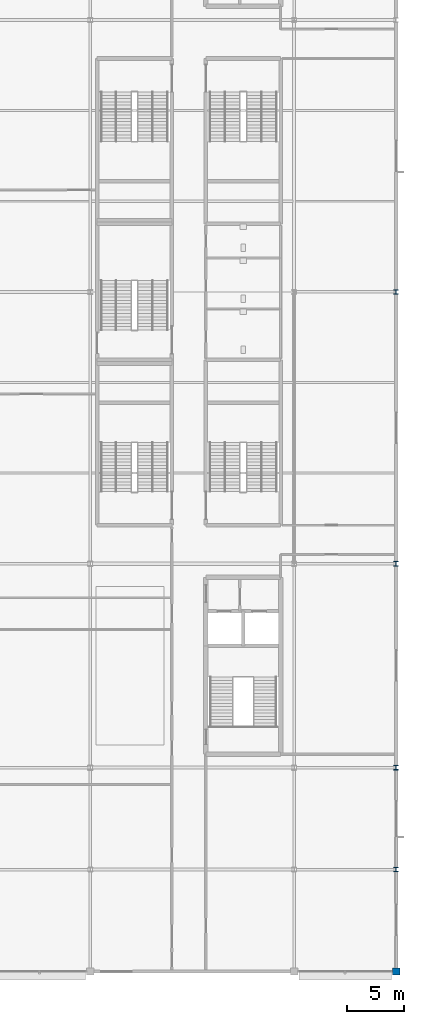
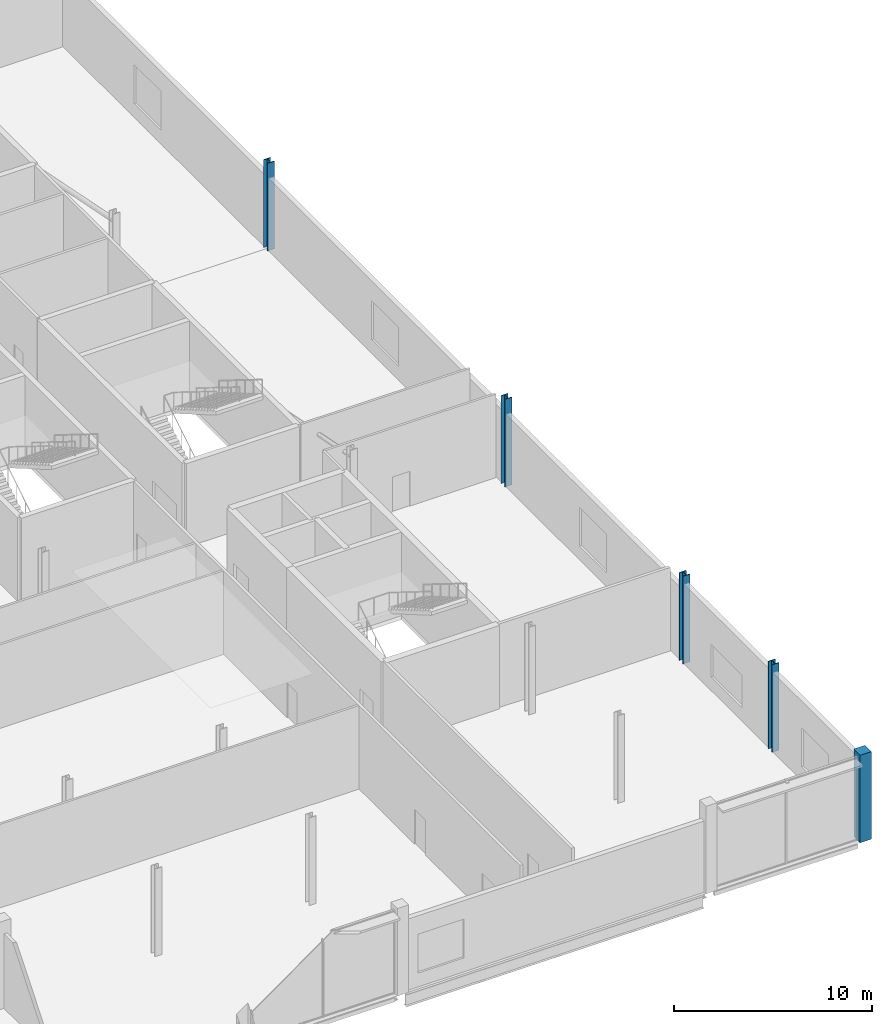
# One storey, part 9 of 111: 5 columns.
"""IFC4 building model written with IfcOpenShell, lengths in metres."""

from ifc_helpers import new_model, si_unit, direction, frame, origin, origin_2d, place, context, subcontext, project, spatial, rectangle, i_section, extrude, material, material_profile, profile_set, type_object, element, save


model = new_model("IFC4")

# Units and contexts
model_context = context("Model", 3, precision=1e-05, world=origin(), true_north=direction((0.0, 1.0)))
body_context = subcontext(model_context, "Body", "Model", "MODEL_VIEW")
ifc_project = project(units=[si_unit("LENGTHUNIT", "METRE"), si_unit("AREAUNIT", "SQUARE_METRE"), si_unit("VOLUMEUNIT", "CUBIC_METRE"), si_unit("PLANEANGLEUNIT", "RADIAN"), si_unit("MASSUNIT", "GRAM", prefix="KILO")], contexts=[model_context])

# Site, building, storey
site_placement = place(None, origin())
site = spatial("IfcSite", under=ifc_project, at=site_placement, CompositionType="ELEMENT")
building_placement = place(site_placement, origin())
building = spatial("IfcBuilding", under=site, at=building_placement, Name="Kisiwana Market Hall", CompositionType="ELEMENT")
storey_placement = place(building_placement, frame((0.0, 0.0, 11.39990234375)))
storey = spatial("IfcBuildingStorey", under=building, at=storey_placement, Name="L02", CompositionType="ELEMENT", Elevation=11.39990234375)

# Columns
ifc_material_1 = material(Name="Concrete C40/50", Category="concrete")
ifc_material_profile_1 = material_profile(ifc_material_1, rectangle(XDim=0.64990234375, YDim=0.64990234375, at=origin_2d()), Name="RC 650x650")
ifc_profile_set_1 = profile_set([ifc_material_profile_1], Name="Concrete C40/50")
column_type_1 = type_object("IfcColumnType", Name="COL-RC-POD-650", PredefinedType="COLUMN", material=ifc_profile_set_1)
column_1_placement = place(storey_placement, frame((198.0, 0.0, 0.0), z_axis=(0.0, 0.0, 1.0), x_axis=(1.0, 0.0, 0.0)))
element("IfcColumn", 1, at=column_1_placement, inside=storey, type_object=column_type_1, Name="Column A/23 (L02) C-0635", PredefinedType="COLUMN", context=body_context, shape_type="SweptSolid", body=[
    extrude(rectangle(XDim=0.64990234375, YDim=0.64990234375, at=origin_2d()), origin(), (0.0, 0.0, 1.0), 5.400146484375),
])
ifc_material_2 = material(Name="Steel S355", Category="steel")
ifc_material_profile_2 = material_profile(ifc_material_2, i_section(OverallWidth=0.406005859375, OverallDepth=0.416015625, WebThickness=0.02978515625, FlangeThickness=0.048095703125, at=origin_2d()), Name="HD 400x382")
ifc_profile_set_2 = profile_set([ifc_material_profile_2], Name="Steel S355")
column_type_2 = type_object("IfcColumnType", Name="COL-STL-HD382", PredefinedType="COLUMN", material=ifc_profile_set_2)
for number, where, z_axis, x_axis, name in (
    (2, (198.0, 18.0, 0.0), (0.0, 0.0, 1.0), (1.0, 0.0, 0.0), "Column C/23 (L02) C-0637"),
    (3, (198.0, 36.0, 0.0), (0.0, 0.0, 1.0), (1.0, 0.0, 0.0), "Column E/23 (L02) C-0638"),
    (4, (198.0, 60.0, 0.0), (0.0, 0.0, 1.0), (1.0, 0.0, 0.0), "Column H/23 (L02) C-0639"),
):
    element("IfcColumn", number, at=place(storey_placement, frame(where, z_axis=z_axis, x_axis=x_axis)), inside=storey, type_object=column_type_2, Name=name, PredefinedType="COLUMN", context=body_context, shape_type="SweptSolid", body=[
        extrude(i_section(OverallWidth=0.406005859375, OverallDepth=0.416015625, WebThickness=0.02978515625, FlangeThickness=0.048095703125, at=origin_2d()), origin(), (0.0, 0.0, 1.0), 5.400146484375),
    ])
ifc_material_3 = material(Name="Steel S355", Category="steel")
ifc_material_profile_3 = material_profile(ifc_material_3, i_section(OverallWidth=0.39892578125, OverallDepth=0.3935546875, WebThickness=0.022705078125, FlangeThickness=0.03662109375, at=origin_2d()), Name="UC 356x406x287")
ifc_profile_set_3 = profile_set([ifc_material_profile_3], Name="Steel S355")
column_type_3 = type_object("IfcColumnType", Name="COL-STL-UC287", PredefinedType="COLUMN", material=ifc_profile_set_3)
column_2_placement = place(storey_placement, frame((198.0, 9.0, 0.0), z_axis=(0.0, 0.0, 1.0), x_axis=(1.0, 0.0, 0.0)))
element("IfcColumn", 5, at=column_2_placement, inside=storey, type_object=column_type_3, Name="Column B/23 (L02) C-0636", PredefinedType="COLUMN", context=body_context, shape_type="SweptSolid", body=[
    extrude(i_section(OverallWidth=0.39892578125, OverallDepth=0.3935546875, WebThickness=0.022705078125, FlangeThickness=0.03662109375, at=origin_2d()), origin(), (0.0, 0.0, 1.0), 5.400146484375),
])

save(model, "model.ifc")
